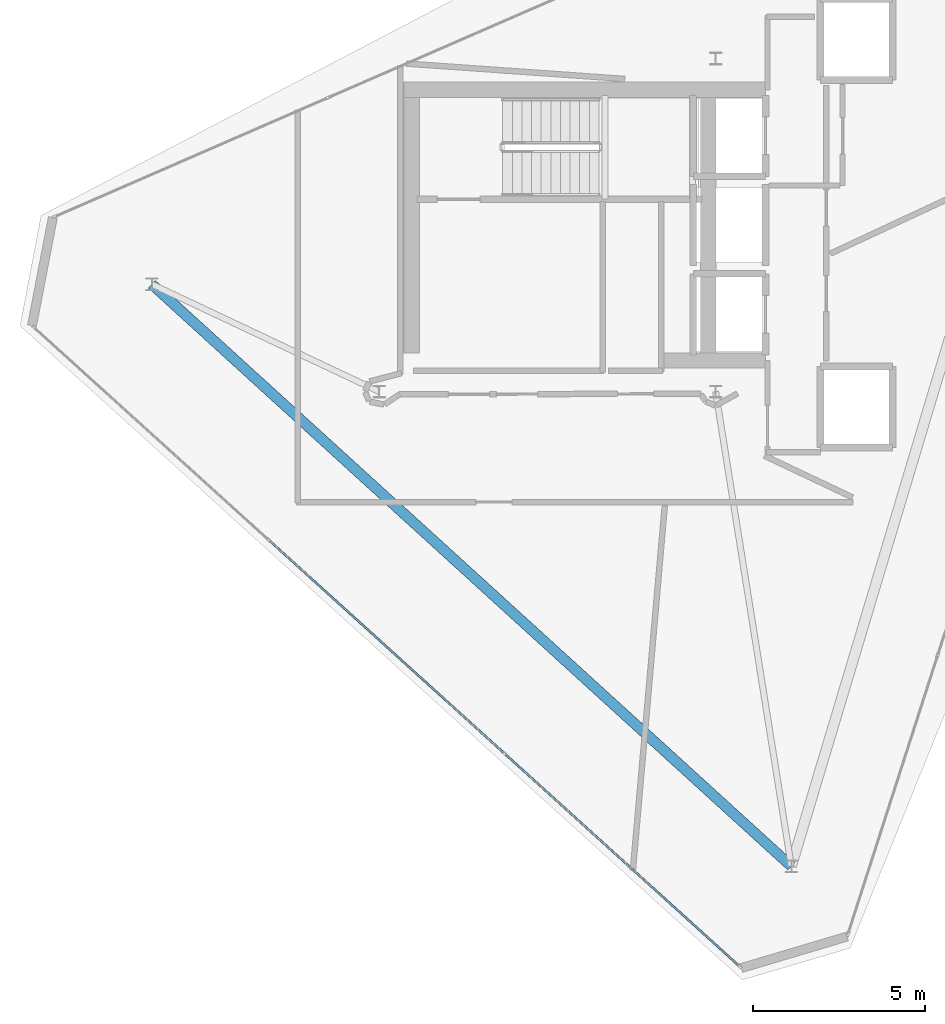
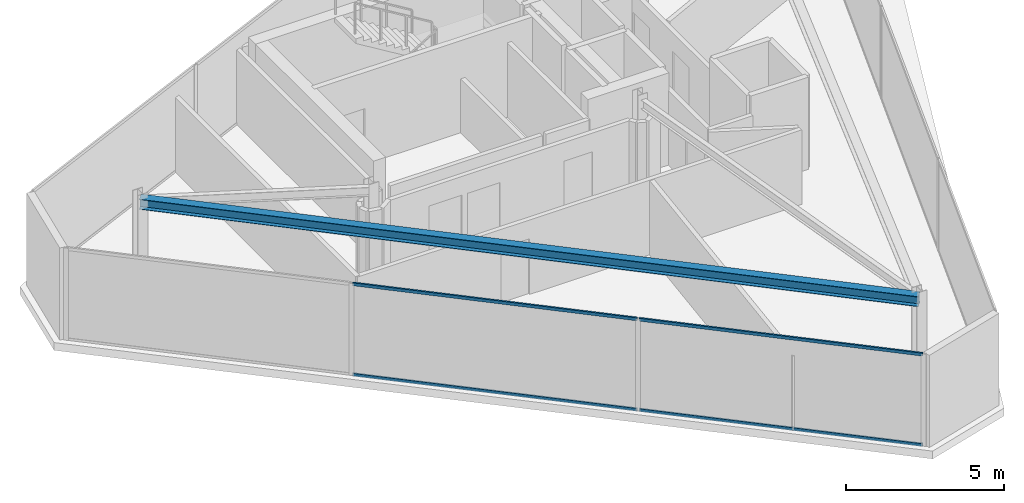
# One storey, part 4 of 14: 4 members, 1 beam, 1 element without a shape of its own.
"""IFC4 building model written with IfcOpenShell, lengths in metres."""

from ifc_helpers import new_model, si_unit, direction, frame, origin, origin_2d, place, context, subcontext, project, spatial, hollow_rectangle, i_section, extrude, material, layer, layer_set, material_profile, profile_set, type_object, element, aggregate, save


model = new_model("IFC4")

# Units and contexts
model_context = context("Model", 3, precision=1e-05, world=origin(), true_north=direction((0.0, 1.0)))
body_context = subcontext(model_context, "Body", "Model", "MODEL_VIEW")
ifc_project = project(units=[si_unit("LENGTHUNIT", "METRE"), si_unit("AREAUNIT", "SQUARE_METRE"), si_unit("VOLUMEUNIT", "CUBIC_METRE"), si_unit("PLANEANGLEUNIT", "RADIAN"), si_unit("MASSUNIT", "GRAM", prefix="KILO")], contexts=[model_context])

# Site, building, storey
site_placement = place(None, origin())
site = spatial("IfcSite", under=ifc_project, at=site_placement, CompositionType="ELEMENT")
building_placement = place(site_placement, origin())
building = spatial("IfcBuilding", under=site, at=building_placement, Name="Qianvela Tower", CompositionType="ELEMENT")
storey_placement = place(building_placement, frame((0.0, 0.0, 356.300048828125)))
storey = spatial("IfcBuildingStorey", under=building, at=storey_placement, Name="L92", CompositionType="ELEMENT", Elevation=356.300048828125)

# Beam
ifc_material_1 = material(Name="Steel Q355B", Category="steel")
ifc_material_profile_1 = material_profile(ifc_material_1, i_section(OverallWidth=0.300048828125, OverallDepth=0.389892578125, WebThickness=0.010009765625, FlangeThickness=0.01611328125, at=origin_2d()), Name="HM390x300x10x16")
ifc_profile_set_1 = profile_set([ifc_material_profile_1], Name="Steel Q355B")
beam_type = type_object("IfcBeamType", Name="BM-HM390-COLL", PredefinedType="BEAM", material=ifc_profile_set_1)
beam_placement = place(storey_placement, frame((40.60400390625, 10.027099609375, 3.35302734375), z_axis=(-0.73956574246, 0.673084327986, 0.0), x_axis=(-0.673084327986, -0.73956574246, 0.0)))
element("IfcBeam", 1, at=beam_placement, inside=storey, type_object=beam_type, Name="L92 Crown Perimeter Frame Girder 2", PredefinedType="BEAM", context=body_context, shape_type="SweptSolid", body=[
    extrude(i_section(OverallWidth=0.300048828125, OverallDepth=0.389892578125, WebThickness=0.010009765625, FlangeThickness=0.01611328125, at=origin_2d()), origin(), (0.0, 0.0, 1.0), 25.18115234375),
])

# Curtain wall, members
ifc_material_2 = material(Name="Anodised Architectural Aluminium and Low-E Glass", Category="aluminium")
ifc_layer = layer(ifc_material_2, 0.159912109375)
ifc_layer_set = layer_set([ifc_layer], Name="Anodised Architectural Aluminium and Low-E Glass")
curtain_wall_type = type_object("IfcCurtainWallType", Name="CW-CROWN", PredefinedType="USERDEFINED", material=ifc_layer_set)
curtain_wall_placement = place(storey_placement, origin())
curtain_wall = element("IfcCurtainWall", 2, at=curtain_wall_placement, inside=storey, type_object=curtain_wall_type, Name="L92 CW-CROWN Curtain Wall 04", ObjectType="CURTAIN_WALL_SYSTEM", PredefinedType="USERDEFINED")
ifc_material_3 = material(Name="Anodised Architectural Aluminium 6063-T6", Category="aluminium")
ifc_material_profile_2 = material_profile(ifc_material_3, hollow_rectangle(XDim=0.06005859375, YDim=0.114990234375, WallThickness=0.00390625, at=origin_2d()), Name="ALU-TRAN-60x115")
ifc_profile_set_2 = profile_set([ifc_material_profile_2], Name="Anodised Architectural Aluminium 6063-T6")
member_type = type_object("IfcMemberType", Name="CW-CROWN-TRAN", PredefinedType="USERDEFINED", material=ifc_profile_set_2)
member_1_placement = place(storey_placement, frame((25.4150390625, 19.5009765625, 0.030029296875), z_axis=(0.741283408791, -0.671192154194, 0.0), x_axis=(0.671192154194, 0.741283408791, 0.0)))
member_1 = element("IfcMember", 3, at=member_1_placement, type_object=member_type, Name="CW-8 transom 2.1", ObjectType="TRANSOM", PredefinedType="USERDEFINED", context=body_context, shape_type="SweptSolid", body=[
    extrude(hollow_rectangle(XDim=0.06005859375, YDim=0.114990234375, WallThickness=0.00390625, at=origin_2d()), origin(), (0.0, 0.0, 1.0), 9.192138671875),
])
member_2_placement = place(storey_placement, frame((25.4150390625, 19.5009765625, 3.52001953125), z_axis=(0.741283408791, -0.671192154194, 0.0), x_axis=(0.671192154194, 0.741283408791, 0.0)))
member_2 = element("IfcMember", 4, at=member_2_placement, type_object=member_type, Name="CW-8 transom 2.2", ObjectType="TRANSOM", PredefinedType="USERDEFINED", context=body_context, shape_type="SweptSolid", body=[
    extrude(hollow_rectangle(XDim=0.06005859375, YDim=0.114990234375, WallThickness=0.00390625, at=origin_2d()), origin(), (0.0, 0.0, 1.0), 9.192138671875),
])
member_3_placement = place(storey_placement, frame((32.277099609375, 13.28759765625, 0.030029296875), z_axis=(0.741274932467, -0.671201515565, 0.0), x_axis=(0.671201515565, 0.741274932467, 0.0)))
member_3 = element("IfcMember", 5, at=member_3_placement, type_object=member_type, Name="CW-8 transom 3.1", ObjectType="TRANSOM", PredefinedType="USERDEFINED", context=body_context, shape_type="SweptSolid", body=[
    extrude(hollow_rectangle(XDim=0.06005859375, YDim=0.114990234375, WallThickness=0.00390625, at=origin_2d()), origin(), (0.0, 0.0, 1.0), 9.15966796875),
])
member_4_placement = place(storey_placement, frame((32.277099609375, 13.28759765625, 3.52001953125), z_axis=(0.741274932467, -0.671201515565, 0.0), x_axis=(0.671201515565, 0.741274932467, 0.0)))
member_4 = element("IfcMember", 6, at=member_4_placement, type_object=member_type, Name="CW-8 transom 3.2", ObjectType="TRANSOM", PredefinedType="USERDEFINED", context=body_context, shape_type="SweptSolid", body=[
    extrude(hollow_rectangle(XDim=0.06005859375, YDim=0.114990234375, WallThickness=0.00390625, at=origin_2d()), origin(), (0.0, 0.0, 1.0), 9.15966796875),
])
aggregate(curtain_wall, [member_1, member_2, member_3, member_4])

save(model, "model.ifc")
